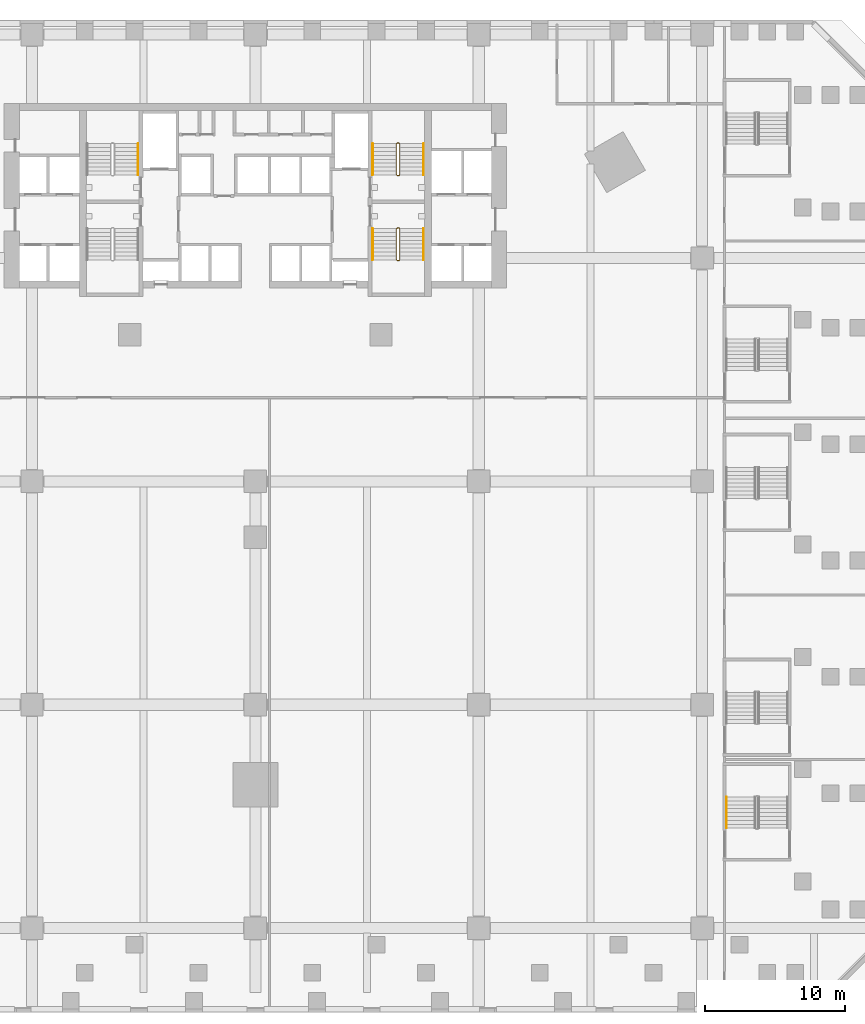
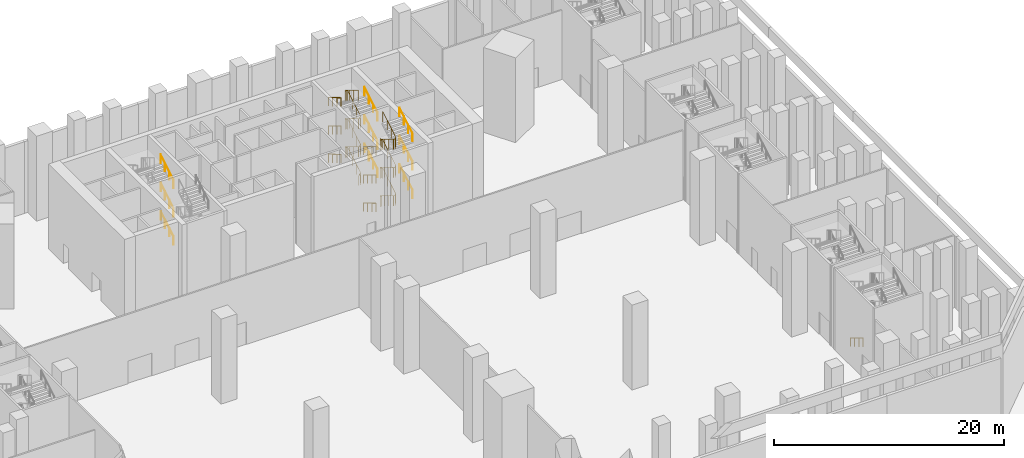
# One storey, part 20 of 25: 18 railings.
"""IFC4 building model written with IfcOpenShell, lengths in metres."""

import ifcopenshell
import ifcopenshell.guid

model = None  # the IFC model being written
_history = None  # IfcOwnerHistory: only IFC2X3 demands one
_inside = {}  # id of a spatial element -> (the spatial element, [elements in it])
_under = {}  # id of a project, library or spatial element -> (it, [spatial elements below it])
_declared = {}  # id of a project -> (the project, [libraries it declares])
_typed = {}  # id of a type object -> (the type object, [elements of that type])
_made_of = {}  # id of a material, layer set ... -> (it, [elements and type objects made of it])


def new_model(schema):
    """Start an empty IFC model of exactly this schema.

    Asked for "IFC4X3", IfcOpenShell would pick the latest addendum, in which some entities
    have other attributes; the version numbers below select the first issue.
    IFC2X3 requires an IfcOwnerHistory on every rooted entity: one is made here for all.
    """
    global model, _history
    if schema == "IFC4X3":
        model = ifcopenshell.file(schema_version=(4, 3, 0, 0))
    else:
        model = ifcopenshell.file(schema=schema)
    _inside.clear()
    _under.clear()
    _declared.clear()
    _typed.clear()
    _made_of.clear()
    _history = None
    if model.schema == "IFC2X3":
        org = make("IfcOrganization", Name="unknown")
        user = make(
            "IfcPersonAndOrganization",
            ThePerson=make("IfcPerson", FamilyName="unknown"),
            TheOrganization=org,
        )
        app = make(
            "IfcApplication",
            ApplicationDeveloper=org,
            Version="unknown",
            ApplicationFullName="unknown",
            ApplicationIdentifier="unknown",
        )
        _history = make(
            "IfcOwnerHistory",
            OwningUser=user,
            OwningApplication=app,
            ChangeAction="ADDED",
            CreationDate=0,
        )
    return model


def make(cls, **values):
    """One entity of the class cls with the attributes given. An attribute that is None is left unset."""
    return model.create_entity(
        cls, **{name: value for name, value in values.items() if value is not None}
    )


def rooted(cls, **values):
    """An entity with a GlobalId (a new one), such as an element, a storey or a relation."""
    return make(cls, GlobalId=ifcopenshell.guid.new(), OwnerHistory=_history, **values)


def si_unit(unit_type, name, prefix=None):
    """IfcSIUnit, for example si_unit("LENGTHUNIT", "METRE", prefix="MILLI")."""
    return make("IfcSIUnit", UnitType=unit_type, Prefix=prefix, Name=name)


def assignment(units):
    """IfcUnitAssignment: the units of a project."""
    return None if units is None else make("IfcUnitAssignment", Units=units)


def point(xyz):
    """IfcCartesianPoint."""
    return None if xyz is None else make("IfcCartesianPoint", Coordinates=xyz)


def direction(xyz):
    """IfcDirection."""
    return None if xyz is None else make("IfcDirection", DirectionRatios=xyz)


def frame(location, z_axis=None, x_axis=None):
    """IfcAxis2Placement3D, a coordinate frame: its origin and axes. An axis left out is left unset."""
    return make(
        "IfcAxis2Placement3D",
        Location=point(location),
        Axis=direction(z_axis),
        RefDirection=direction(x_axis),
    )


def frame_2d(location, x_axis=None):
    """IfcAxis2Placement2D, a coordinate frame in the plane: its origin and x axis."""
    return make(
        "IfcAxis2Placement2D", Location=point(location), RefDirection=direction(x_axis)
    )


def origin():
    """The frame at (0, 0, 0) with its axes left unset."""
    return frame((0.0, 0.0, 0.0))


def origin_2d():
    """The frame at (0, 0) in the plane with its x axis left unset."""
    return frame_2d((0.0, 0.0))


def place(relative_to, where):
    """IfcLocalPlacement: puts the frame where relative to a parent placement (None: the world)."""
    return make(
        "IfcLocalPlacement", PlacementRelTo=relative_to, RelativePlacement=where
    )


def context(
    kind, dimensions, precision=None, world=None, true_north=None, identifier=None
):
    """IfcGeometricRepresentationContext, for example the 3D "Model" context."""
    return make(
        "IfcGeometricRepresentationContext",
        ContextIdentifier=identifier,
        ContextType=kind,
        CoordinateSpaceDimension=dimensions,
        Precision=precision,
        WorldCoordinateSystem=world,
        TrueNorth=true_north,
    )


def subcontext(parent, identifier, kind, view, scale=None):
    """IfcGeometricRepresentationSubContext, for example "Body" below "Model"."""
    return make(
        "IfcGeometricRepresentationSubContext",
        ContextIdentifier=identifier,
        ContextType=kind,
        ParentContext=parent,
        TargetScale=scale,
        TargetView=view,
    )


def project(units=None, contexts=None):
    """IfcProject with its units and contexts."""
    return rooted(
        "IfcProject",
        Name="project",
        RepresentationContexts=contexts,
        UnitsInContext=assignment(units),
    )


def spatial(cls, under=None, at=None, **own):
    """A site, building, storey or space (cls), placed at a placement, below another one or the project."""
    s = rooted(cls, ObjectPlacement=at, **own)
    if under is not None:
        _under.setdefault(under.id(), (under, []))[1].append(s)
    return s


def profile(cls, at=None, kind="AREA", **sizes):
    """A parametric profile (cls). Its sizes go by their IFC names, for example OverallWidth=200.0."""
    return make(cls, ProfileType=kind, Position=at, **sizes)


def circle(**sizes):
    """IfcCircleProfileDef."""
    return profile("IfcCircleProfileDef", **sizes)


def extrude(swept, where, along, depth):
    """IfcExtrudedAreaSolid: the profile swept, set in the frame where, extruded along a direction by depth."""
    return make(
        "IfcExtrudedAreaSolid",
        SweptArea=swept,
        Position=where,
        ExtrudedDirection=direction(along),
        Depth=depth,
    )


def shape(context_of_items, identifier, shape_type, items):
    """IfcShapeRepresentation: the items that make up one representation, for example the "Body"."""
    return make(
        "IfcShapeRepresentation",
        ContextOfItems=context_of_items,
        RepresentationIdentifier=identifier,
        RepresentationType=shape_type,
        Items=items,
    )


def material(Name=None, Category=None):
    """IfcMaterial."""
    return make("IfcMaterial", Name=Name, Category=Category)


def made_of(thing, what):
    """Note that an element or type object is made of a material, layer set ...; save() writes the relation."""
    if what is not None:
        _made_of.setdefault(what.id(), (what, []))[1].append(thing)
    return thing


def type_object(cls, material=None, **own):
    """A type object (cls), such as IfcWallType, which elements share."""
    return made_of(rooted(cls, **own), material)


def element(
    cls,
    number,
    at=None,
    inside=None,
    cuts=None,
    type_object=None,
    material=None,
    context=None,
    identifier="Body",
    shape_type=None,
    held_by="IfcProductDefinitionShape",
    body=None,
    shapes=None,
    **own,
):
    """One element of the class cls, such as IfcWall. Its Tag is "e" and its number.

    at: its placement. inside: the storey or other place that contains it. cuts: it is an
    opening in that element (IfcRelVoidsElement). A single representation is given by context,
    identifier, shape_type and body (its items); several are given by shapes. held_by: the class
    of the entity that holds the representations. save() writes the other relations.
    """
    e = rooted(cls, Tag="e%d" % number, ObjectPlacement=at, **own)
    if body is not None:
        shapes = [shape(context, identifier, shape_type, body)]
    if shapes is not None:
        e.Representation = make(held_by, Representations=shapes)
    if inside is not None:
        _inside.setdefault(inside.id(), (inside, []))[1].append(e)
    if cuts is not None:
        rooted(
            "IfcRelVoidsElement", RelatingBuildingElement=cuts, RelatedOpeningElement=e
        )
    if type_object is not None:
        _typed.setdefault(type_object.id(), (type_object, []))[1].append(e)
    return made_of(e, material)


def aggregate(whole, parts):
    """IfcRelAggregates: a whole, such as a stair, and the parts it consists of."""
    return rooted("IfcRelAggregates", RelatingObject=whole, RelatedObjects=parts)


def save(model, path):
    """Write the relations noted so far, then the file.

    IfcRelAggregates (storeys below a building ...), IfcRelContainedInSpatialStructure (elements
    in a storey), IfcRelDefinesByType, IfcRelAssociatesMaterial and IfcRelDeclares: one each for
    every whole, place, type object, material and project.
    """
    for whole, parts in _under.values():
        aggregate(whole, parts)
    for where, things in _inside.values():
        rooted(
            "IfcRelContainedInSpatialStructure",
            RelatedElements=things,
            RelatingStructure=where,
        )
    for kind, things in _typed.values():
        rooted("IfcRelDefinesByType", RelatedObjects=things, RelatingType=kind)
    for what, things in _made_of.values():
        rooted("IfcRelAssociatesMaterial", RelatedObjects=things, RelatingMaterial=what)
    for by, libraries in _declared.values():
        rooted("IfcRelDeclares", RelatingContext=by, RelatedDefinitions=libraries)
    model.write(path)


model = new_model("IFC4")

# Units and contexts
model_context = context("Model", 3, precision=1e-05, world=origin(), true_north=direction((0.0, 1.0)))
body_context = subcontext(model_context, "Body", "Model", "MODEL_VIEW")
ifc_project = project(units=[si_unit("LENGTHUNIT", "METRE"), si_unit("AREAUNIT", "SQUARE_METRE"), si_unit("VOLUMEUNIT", "CUBIC_METRE"), si_unit("PLANEANGLEUNIT", "RADIAN"), si_unit("MASSUNIT", "GRAM", prefix="KILO")], contexts=[model_context])

# Site, building, storey
site_placement = place(None, origin())
site = spatial("IfcSite", under=ifc_project, at=site_placement, CompositionType="ELEMENT")
building_placement = place(site_placement, origin())
building = spatial("IfcBuilding", under=site, at=building_placement, Name="Calabash Gate Tower", CompositionType="ELEMENT")
storey_placement = place(building_placement, frame((0.0, 0.0, 20.0)))
storey = spatial("IfcBuildingStorey", under=building, at=storey_placement, Name="L02", CompositionType="ELEMENT", Elevation=20.0)

# Railings
ifc_material_1 = material(Name="Black powder-coated steel balusters", Category="steel")
railing_type_1 = type_object("IfcRailingType", Name="Stair guard RL1100", PredefinedType="GUARDRAIL", material=ifc_material_1)
railing_1_placement = place(storey_placement, frame((10.300048828125, 13.902587890625, 0.0)))
element("IfcRailing", 1, at=railing_1_placement, inside=storey, type_object=railing_type_1, Name="L02 ST3 stair guard 1", PredefinedType="GUARDRAIL", context=body_context, shape_type="SweptSolid", body=[
    extrude(circle(Radius=0.02392578125, at=origin_2d()), frame((0.0, 0.0, 1.076171875), z_axis=(-1.0, 0.0, 0.0), x_axis=(0.0, -1.0, 0.0)), (0.0, 0.0, 1.0), 0.150146484375),
    extrude(circle(Radius=0.02392578125, at=origin_2d()), frame((-0.150146484375, 0.0, 1.076171875), z_axis=(0.75457900375, 0.188644750937, 0.628509097026), x_axis=(-0.242535625036, 0.970142500145, 0.0)), (0.0, 0.0, 1.0), 0.265380859375),
    extrude(circle(Radius=0.02392578125, at=origin_2d()), frame((0.050048828125, 0.050048828125, 1.24267578125), z_axis=(0.0, 0.858493888361, 0.512823793955), x_axis=(-1.0, 0.0, 0.0)), (0.0, 0.0, 1.0), 2.599853515625),
    extrude(circle(Radius=0.02392578125, at=origin_2d()), frame((0.050048828125, 2.281982421875, 2.576171875), z_axis=(-0.707106781187, 0.707106781187, 0.0), x_axis=(-0.707106781187, -0.707106781187, 0.0)), (0.0, 0.0, 1.0), 0.07080078125),
    extrude(circle(Radius=0.02392578125, at=origin_2d()), frame((0.0, 2.33203125, 2.576171875), z_axis=(-1.0, 0.0, 0.0), x_axis=(0.0, -1.0, 0.0)), (0.0, 0.0, 1.0), 0.150146484375),
    extrude(circle(Radius=0.02392578125, at=origin_2d()), frame((-0.150146484375, 2.33203125, 2.576171875), z_axis=(-0.275041040955, -0.276389281352, 0.920848191041), x_axis=(0.708833529934, -0.705375805398, 0.0)), (0.0, 0.0, 1.0), 0.18115234375),
    extrude(circle(Radius=0.02392578125, at=origin_2d()), frame((-0.199951171875, 2.281982421875, 2.74267578125), z_axis=(0.0, -0.858493888361, 0.512823793955), x_axis=(1.0, 0.0, 0.0)), (0.0, 0.0, 1.0), 2.599853515625),
    extrude(circle(Radius=0.02392578125, at=origin_2d()), frame((-0.199951171875, 0.050048828125, 4.076171875), z_axis=(0.970072785993, -0.242814311512, 0.0), x_axis=(0.242814311512, 0.970072785993, 0.0)), (0.0, 0.0, 1.0), 0.2060546875),
    extrude(circle(Radius=0.02392578125, at=origin_2d()), frame((0.0, 0.0, 4.076171875), z_axis=(-1.0, 0.0, 0.0), x_axis=(0.0, -1.0, 0.0)), (0.0, 0.0, 1.0), 0.150146484375),
    extrude(circle(Radius=0.02392578125, at=origin_2d()), frame((-0.150146484375, 0.0, 4.076171875), z_axis=(0.75457900375, 0.188644750937, 0.628509097026), x_axis=(-0.242535625036, 0.970142500145, 0.0)), (0.0, 0.0, 1.0), 0.265380859375),
    extrude(circle(Radius=0.02392578125, at=origin_2d()), frame((0.050048828125, 0.050048828125, 4.24267578125), z_axis=(0.0, 0.858493888361, 0.512823793955), x_axis=(-1.0, 0.0, 0.0)), (0.0, 0.0, 1.0), 2.599853515625),
    extrude(circle(Radius=0.02392578125, at=origin_2d()), frame((0.050048828125, 2.281982421875, 5.576171875), z_axis=(-0.707106781187, 0.707106781187, 0.0), x_axis=(-0.707106781187, -0.707106781187, 0.0)), (0.0, 0.0, 1.0), 0.07080078125),
    extrude(circle(Radius=0.02392578125, at=origin_2d()), frame((0.0, 2.33203125, 5.576171875), z_axis=(-1.0, 0.0, 0.0), x_axis=(0.0, -1.0, 0.0)), (0.0, 0.0, 1.0), 0.150146484375),
    extrude(circle(Radius=0.02392578125, at=origin_2d()), frame((-0.150146484375, 2.33203125, 5.576171875), z_axis=(-0.275041040955, -0.276389281352, 0.920848191041), x_axis=(0.708833529934, -0.705375805398, 0.0)), (0.0, 0.0, 1.0), 0.18115234375),
    extrude(circle(Radius=0.02392578125, at=origin_2d()), frame((-0.199951171875, 2.281982421875, 5.74267578125), z_axis=(0.0, -0.858493888361, 0.512823793955), x_axis=(1.0, 0.0, 0.0)), (0.0, 0.0, 1.0), 2.599853515625),
    extrude(circle(Radius=0.02392578125, at=origin_2d()), frame((-0.199951171875, 0.050048828125, 7.076171875), z_axis=(0.970072785993, -0.242814311512, 0.0), x_axis=(0.242814311512, 0.970072785993, 0.0)), (0.0, 0.0, 1.0), 0.2060546875),
    extrude(circle(Radius=0.02392578125, at=origin_2d()), frame((0.0, 0.0, 7.076171875), z_axis=(-1.0, 0.0, 0.0), x_axis=(0.0, -1.0, 0.0)), (0.0, 0.0, 1.0), 0.150146484375),
    extrude(circle(Radius=0.02392578125, at=origin_2d()), frame((-0.150146484375, 0.0, 7.076171875), z_axis=(0.75457900375, 0.188644750937, 0.628509097026), x_axis=(-0.242535625036, 0.970142500145, 0.0)), (0.0, 0.0, 1.0), 0.265380859375),
    extrude(circle(Radius=0.02392578125, at=origin_2d()), frame((0.050048828125, 0.050048828125, 7.24267578125), z_axis=(0.0, 0.858493888361, 0.512823793955), x_axis=(-1.0, 0.0, 0.0)), (0.0, 0.0, 1.0), 2.599853515625),
    extrude(circle(Radius=0.02392578125, at=origin_2d()), frame((0.050048828125, 2.281982421875, 8.576171875), z_axis=(-0.707106781187, 0.707106781187, 0.0), x_axis=(-0.707106781187, -0.707106781187, 0.0)), (0.0, 0.0, 1.0), 0.07080078125),
    extrude(circle(Radius=0.02392578125, at=origin_2d()), frame((0.0, 2.33203125, 8.576171875), z_axis=(-1.0, 0.0, 0.0), x_axis=(0.0, -1.0, 0.0)), (0.0, 0.0, 1.0), 0.150146484375),
    extrude(circle(Radius=0.02392578125, at=origin_2d()), frame((-0.150146484375, 2.33203125, 8.576171875), z_axis=(-0.275041040955, -0.276389281352, 0.920848191041), x_axis=(0.708833529934, -0.705375805398, 0.0)), (0.0, 0.0, 1.0), 0.18115234375),
    extrude(circle(Radius=0.02392578125, at=origin_2d()), frame((-0.199951171875, 2.281982421875, 8.74267578125), z_axis=(0.0, -0.858493888361, 0.512823793955), x_axis=(1.0, 0.0, 0.0)), (0.0, 0.0, 1.0), 2.599853515625),
    extrude(circle(Radius=0.02099609375, at=origin_2d()), origin(), (0.0, 0.0, 1.0), 1.052001953125),
    extrude(circle(Radius=0.02099609375, at=origin_2d()), frame((-0.150146484375, 0.0, 0.0)), (0.0, 0.0, 1.0), 1.052001953125),
    extrude(circle(Radius=0.02099609375, at=origin_2d()), frame((0.050048828125, 0.050048828125, 0.166748046875)), (0.0, 0.0, 1.0), 1.052001953125),
    extrude(circle(Radius=0.02099609375, at=origin_2d()), frame((0.050048828125, 0.7939453125, 0.611083984375)), (0.0, 0.0, 1.0), 1.052001953125),
    extrude(circle(Radius=0.02099609375, at=origin_2d()), frame((0.050048828125, 1.5380859375, 1.0556640625)), (0.0, 0.0, 1.0), 1.052001953125),
    extrude(circle(Radius=0.02099609375, at=origin_2d()), frame((0.050048828125, 2.281982421875, 1.5)), (0.0, 0.0, 1.0), 1.052001953125),
    extrude(circle(Radius=0.02099609375, at=origin_2d()), frame((0.0, 2.33203125, 1.5)), (0.0, 0.0, 1.0), 1.052001953125),
    extrude(circle(Radius=0.02099609375, at=origin_2d()), frame((-0.150146484375, 2.33203125, 1.5)), (0.0, 0.0, 1.0), 1.052001953125),
    extrude(circle(Radius=0.02099609375, at=origin_2d()), frame((-0.199951171875, 2.281982421875, 1.666748046875)), (0.0, 0.0, 1.0), 1.052001953125),
    extrude(circle(Radius=0.02099609375, at=origin_2d()), frame((-0.199951171875, 1.5380859375, 2.111083984375)), (0.0, 0.0, 1.0), 1.052001953125),
    extrude(circle(Radius=0.02099609375, at=origin_2d()), frame((-0.199951171875, 0.7939453125, 2.5556640625)), (0.0, 0.0, 1.0), 1.052001953125),
    extrude(circle(Radius=0.02099609375, at=origin_2d()), frame((-0.199951171875, 0.050048828125, 3.0)), (0.0, 0.0, 1.0), 1.052001953125),
    extrude(circle(Radius=0.02099609375, at=origin_2d()), frame((0.0, 0.0, 3.0)), (0.0, 0.0, 1.0), 1.052001953125),
    extrude(circle(Radius=0.02099609375, at=origin_2d()), frame((-0.150146484375, 0.0, 3.0)), (0.0, 0.0, 1.0), 1.052001953125),
    extrude(circle(Radius=0.02099609375, at=origin_2d()), frame((0.050048828125, 0.050048828125, 3.166748046875)), (0.0, 0.0, 1.0), 1.052001953125),
    extrude(circle(Radius=0.02099609375, at=origin_2d()), frame((0.050048828125, 0.7939453125, 3.611083984375)), (0.0, 0.0, 1.0), 1.052001953125),
    extrude(circle(Radius=0.02099609375, at=origin_2d()), frame((0.050048828125, 1.5380859375, 4.0556640625)), (0.0, 0.0, 1.0), 1.052001953125),
    extrude(circle(Radius=0.02099609375, at=origin_2d()), frame((0.050048828125, 2.281982421875, 4.5)), (0.0, 0.0, 1.0), 1.052001953125),
    extrude(circle(Radius=0.02099609375, at=origin_2d()), frame((0.0, 2.33203125, 4.5)), (0.0, 0.0, 1.0), 1.052001953125),
    extrude(circle(Radius=0.02099609375, at=origin_2d()), frame((-0.150146484375, 2.33203125, 4.5)), (0.0, 0.0, 1.0), 1.052001953125),
    extrude(circle(Radius=0.02099609375, at=origin_2d()), frame((-0.199951171875, 2.281982421875, 4.666748046875)), (0.0, 0.0, 1.0), 1.052001953125),
    extrude(circle(Radius=0.02099609375, at=origin_2d()), frame((-0.199951171875, 1.5380859375, 5.111083984375)), (0.0, 0.0, 1.0), 1.052001953125),
    extrude(circle(Radius=0.02099609375, at=origin_2d()), frame((-0.199951171875, 0.7939453125, 5.5556640625)), (0.0, 0.0, 1.0), 1.052001953125),
    extrude(circle(Radius=0.02099609375, at=origin_2d()), frame((-0.199951171875, 0.050048828125, 6.0)), (0.0, 0.0, 1.0), 1.052001953125),
    extrude(circle(Radius=0.02099609375, at=origin_2d()), frame((0.0, 0.0, 6.0)), (0.0, 0.0, 1.0), 1.052001953125),
    extrude(circle(Radius=0.02099609375, at=origin_2d()), frame((-0.150146484375, 0.0, 6.0)), (0.0, 0.0, 1.0), 1.052001953125),
    extrude(circle(Radius=0.02099609375, at=origin_2d()), frame((0.050048828125, 0.050048828125, 6.166748046875)), (0.0, 0.0, 1.0), 1.052001953125),
    extrude(circle(Radius=0.02099609375, at=origin_2d()), frame((0.050048828125, 0.7939453125, 6.611083984375)), (0.0, 0.0, 1.0), 1.052001953125),
    extrude(circle(Radius=0.02099609375, at=origin_2d()), frame((0.050048828125, 1.5380859375, 7.0556640625)), (0.0, 0.0, 1.0), 1.052001953125),
    extrude(circle(Radius=0.02099609375, at=origin_2d()), frame((0.050048828125, 2.281982421875, 7.5)), (0.0, 0.0, 1.0), 1.052001953125),
    extrude(circle(Radius=0.02099609375, at=origin_2d()), frame((0.0, 2.33203125, 7.5)), (0.0, 0.0, 1.0), 1.052001953125),
    extrude(circle(Radius=0.02099609375, at=origin_2d()), frame((-0.150146484375, 2.33203125, 7.5)), (0.0, 0.0, 1.0), 1.052001953125),
    extrude(circle(Radius=0.02099609375, at=origin_2d()), frame((-0.199951171875, 2.281982421875, 7.666748046875)), (0.0, 0.0, 1.0), 1.052001953125),
    extrude(circle(Radius=0.02099609375, at=origin_2d()), frame((-0.199951171875, 1.5380859375, 8.111083984375)), (0.0, 0.0, 1.0), 1.052001953125),
    extrude(circle(Radius=0.02099609375, at=origin_2d()), frame((-0.199951171875, 0.7939453125, 8.5556640625)), (0.0, 0.0, 1.0), 1.052001953125),
    extrude(circle(Radius=0.02099609375, at=origin_2d()), frame((-0.199951171875, 0.050048828125, 9.0)), (0.0, 0.0, 1.0), 1.052001953125),
])
railing_2_placement = place(storey_placement, frame((10.14990234375, 10.152587890625, 0.0)))
element("IfcRailing", 2, at=railing_2_placement, inside=storey, type_object=railing_type_1, Name="L02 ST4 stair guard 1", PredefinedType="GUARDRAIL", context=body_context, shape_type="SweptSolid", body=[
    extrude(circle(Radius=0.02392578125, at=origin_2d()), frame((0.0, 0.0, 1.076171875), z_axis=(1.0, 0.0, 0.0), x_axis=(0.0, 1.0, 0.0)), (0.0, 0.0, 1.0), 0.150146484375),
    extrude(circle(Radius=0.02392578125, at=origin_2d()), frame((0.150146484375, 0.0, 1.076171875), z_axis=(-0.754182335027, -0.188775798145, 0.628945707965), x_axis=(0.242814311512, -0.970072785993, 0.0)), (0.0, 0.0, 1.0), 0.26513671875),
    extrude(circle(Radius=0.02392578125, at=origin_2d()), frame((-0.0498046875, -0.050048828125, 1.24267578125), z_axis=(0.0, -0.858493888361, 0.512823793955), x_axis=(1.0, 0.0, 0.0)), (0.0, 0.0, 1.0), 2.599853515625),
    extrude(circle(Radius=0.02392578125, at=origin_2d()), frame((-0.0498046875, -2.281982421875, 2.576171875), z_axis=(0.705375805398, -0.708833529934, 0.0), x_axis=(0.708833529934, 0.705375805398, 0.0)), (0.0, 0.0, 1.0), 0.070556640625),
    extrude(circle(Radius=0.02392578125, at=origin_2d()), frame((0.0, -2.33203125, 2.576171875), z_axis=(1.0, 0.0, 0.0), x_axis=(0.0, 1.0, 0.0)), (0.0, 0.0, 1.0), 0.150146484375),
    extrude(circle(Radius=0.02392578125, at=origin_2d()), frame((0.150146484375, -2.33203125, 2.576171875), z_axis=(0.27628659633, 0.27628659633, 0.920506074601), x_axis=(-0.707106781187, 0.707106781187, 0.0)), (0.0, 0.0, 1.0), 0.18115234375),
    extrude(circle(Radius=0.02392578125, at=origin_2d()), frame((0.2001953125, -2.281982421875, 2.74267578125), z_axis=(0.0, 0.858493888361, 0.512823793955), x_axis=(-1.0, 0.0, 0.0)), (0.0, 0.0, 1.0), 2.599853515625),
    extrude(circle(Radius=0.02392578125, at=origin_2d()), frame((0.2001953125, -0.050048828125, 4.076171875), z_axis=(-0.970142500145, 0.242535625036, 0.0), x_axis=(-0.242535625036, -0.970142500145, 0.0)), (0.0, 0.0, 1.0), 0.206298828125),
    extrude(circle(Radius=0.02392578125, at=origin_2d()), frame((0.0, 0.0, 4.076171875), z_axis=(1.0, 0.0, 0.0), x_axis=(0.0, 1.0, 0.0)), (0.0, 0.0, 1.0), 0.150146484375),
    extrude(circle(Radius=0.02392578125, at=origin_2d()), frame((0.150146484375, 0.0, 4.076171875), z_axis=(-0.754182335027, -0.188775798145, 0.628945707965), x_axis=(0.242814311512, -0.970072785993, 0.0)), (0.0, 0.0, 1.0), 0.26513671875),
    extrude(circle(Radius=0.02392578125, at=origin_2d()), frame((-0.0498046875, -0.050048828125, 4.24267578125), z_axis=(0.0, -0.858493888361, 0.512823793955), x_axis=(1.0, 0.0, 0.0)), (0.0, 0.0, 1.0), 2.599853515625),
    extrude(circle(Radius=0.02392578125, at=origin_2d()), frame((-0.0498046875, -2.281982421875, 5.576171875), z_axis=(0.705375805398, -0.708833529934, 0.0), x_axis=(0.708833529934, 0.705375805398, 0.0)), (0.0, 0.0, 1.0), 0.070556640625),
    extrude(circle(Radius=0.02392578125, at=origin_2d()), frame((0.0, -2.33203125, 5.576171875), z_axis=(1.0, 0.0, 0.0), x_axis=(0.0, 1.0, 0.0)), (0.0, 0.0, 1.0), 0.150146484375),
    extrude(circle(Radius=0.02392578125, at=origin_2d()), frame((0.150146484375, -2.33203125, 5.576171875), z_axis=(0.27628659633, 0.27628659633, 0.920506074601), x_axis=(-0.707106781187, 0.707106781187, 0.0)), (0.0, 0.0, 1.0), 0.18115234375),
    extrude(circle(Radius=0.02392578125, at=origin_2d()), frame((0.2001953125, -2.281982421875, 5.74267578125), z_axis=(0.0, 0.858493888361, 0.512823793955), x_axis=(-1.0, 0.0, 0.0)), (0.0, 0.0, 1.0), 2.599853515625),
    extrude(circle(Radius=0.02392578125, at=origin_2d()), frame((0.2001953125, -0.050048828125, 7.076171875), z_axis=(-0.970142500145, 0.242535625036, 0.0), x_axis=(-0.242535625036, -0.970142500145, 0.0)), (0.0, 0.0, 1.0), 0.206298828125),
    extrude(circle(Radius=0.02392578125, at=origin_2d()), frame((0.0, 0.0, 7.076171875), z_axis=(1.0, 0.0, 0.0), x_axis=(0.0, 1.0, 0.0)), (0.0, 0.0, 1.0), 0.150146484375),
    extrude(circle(Radius=0.02392578125, at=origin_2d()), frame((0.150146484375, 0.0, 7.076171875), z_axis=(-0.754182335027, -0.188775798145, 0.628945707965), x_axis=(0.242814311512, -0.970072785993, 0.0)), (0.0, 0.0, 1.0), 0.26513671875),
    extrude(circle(Radius=0.02392578125, at=origin_2d()), frame((-0.0498046875, -0.050048828125, 7.24267578125), z_axis=(0.0, -0.858493888361, 0.512823793955), x_axis=(1.0, 0.0, 0.0)), (0.0, 0.0, 1.0), 2.599853515625),
    extrude(circle(Radius=0.02392578125, at=origin_2d()), frame((-0.0498046875, -2.281982421875, 8.576171875), z_axis=(0.705375805398, -0.708833529934, 0.0), x_axis=(0.708833529934, 0.705375805398, 0.0)), (0.0, 0.0, 1.0), 0.070556640625),
    extrude(circle(Radius=0.02392578125, at=origin_2d()), frame((0.0, -2.33203125, 8.576171875), z_axis=(1.0, 0.0, 0.0), x_axis=(0.0, 1.0, 0.0)), (0.0, 0.0, 1.0), 0.150146484375),
    extrude(circle(Radius=0.02392578125, at=origin_2d()), frame((0.150146484375, -2.33203125, 8.576171875), z_axis=(0.27628659633, 0.27628659633, 0.920506074601), x_axis=(-0.707106781187, 0.707106781187, 0.0)), (0.0, 0.0, 1.0), 0.18115234375),
    extrude(circle(Radius=0.02392578125, at=origin_2d()), frame((0.2001953125, -2.281982421875, 8.74267578125), z_axis=(0.0, 0.858493888361, 0.512823793955), x_axis=(-1.0, 0.0, 0.0)), (0.0, 0.0, 1.0), 2.599853515625),
    extrude(circle(Radius=0.02099609375, at=origin_2d()), origin(), (0.0, 0.0, 1.0), 1.052001953125),
    extrude(circle(Radius=0.02099609375, at=origin_2d()), frame((0.150146484375, 0.0, 0.0)), (0.0, 0.0, 1.0), 1.052001953125),
    extrude(circle(Radius=0.02099609375, at=origin_2d()), frame((-0.0498046875, -0.050048828125, 0.166748046875)), (0.0, 0.0, 1.0), 1.052001953125),
    extrude(circle(Radius=0.02099609375, at=origin_2d()), frame((-0.0498046875, -0.7939453125, 0.611083984375)), (0.0, 0.0, 1.0), 1.052001953125),
    extrude(circle(Radius=0.02099609375, at=origin_2d()), frame((-0.0498046875, -1.5380859375, 1.0556640625)), (0.0, 0.0, 1.0), 1.052001953125),
    extrude(circle(Radius=0.02099609375, at=origin_2d()), frame((-0.0498046875, -2.281982421875, 1.5)), (0.0, 0.0, 1.0), 1.052001953125),
    extrude(circle(Radius=0.02099609375, at=origin_2d()), frame((0.0, -2.33203125, 1.5)), (0.0, 0.0, 1.0), 1.052001953125),
    extrude(circle(Radius=0.02099609375, at=origin_2d()), frame((0.150146484375, -2.33203125, 1.5)), (0.0, 0.0, 1.0), 1.052001953125),
    extrude(circle(Radius=0.02099609375, at=origin_2d()), frame((0.2001953125, -2.281982421875, 1.666748046875)), (0.0, 0.0, 1.0), 1.052001953125),
    extrude(circle(Radius=0.02099609375, at=origin_2d()), frame((0.2001953125, -1.5380859375, 2.111083984375)), (0.0, 0.0, 1.0), 1.052001953125),
    extrude(circle(Radius=0.02099609375, at=origin_2d()), frame((0.2001953125, -0.7939453125, 2.5556640625)), (0.0, 0.0, 1.0), 1.052001953125),
    extrude(circle(Radius=0.02099609375, at=origin_2d()), frame((0.2001953125, -0.050048828125, 3.0)), (0.0, 0.0, 1.0), 1.052001953125),
    extrude(circle(Radius=0.02099609375, at=origin_2d()), frame((0.0, 0.0, 3.0)), (0.0, 0.0, 1.0), 1.052001953125),
    extrude(circle(Radius=0.02099609375, at=origin_2d()), frame((0.150146484375, 0.0, 3.0)), (0.0, 0.0, 1.0), 1.052001953125),
    extrude(circle(Radius=0.02099609375, at=origin_2d()), frame((-0.0498046875, -0.050048828125, 3.166748046875)), (0.0, 0.0, 1.0), 1.052001953125),
    extrude(circle(Radius=0.02099609375, at=origin_2d()), frame((-0.0498046875, -0.7939453125, 3.611083984375)), (0.0, 0.0, 1.0), 1.052001953125),
    extrude(circle(Radius=0.02099609375, at=origin_2d()), frame((-0.0498046875, -1.5380859375, 4.0556640625)), (0.0, 0.0, 1.0), 1.052001953125),
    extrude(circle(Radius=0.02099609375, at=origin_2d()), frame((-0.0498046875, -2.281982421875, 4.5)), (0.0, 0.0, 1.0), 1.052001953125),
    extrude(circle(Radius=0.02099609375, at=origin_2d()), frame((0.0, -2.33203125, 4.5)), (0.0, 0.0, 1.0), 1.052001953125),
    extrude(circle(Radius=0.02099609375, at=origin_2d()), frame((0.150146484375, -2.33203125, 4.5)), (0.0, 0.0, 1.0), 1.052001953125),
    extrude(circle(Radius=0.02099609375, at=origin_2d()), frame((0.2001953125, -2.281982421875, 4.666748046875)), (0.0, 0.0, 1.0), 1.052001953125),
    extrude(circle(Radius=0.02099609375, at=origin_2d()), frame((0.2001953125, -1.5380859375, 5.111083984375)), (0.0, 0.0, 1.0), 1.052001953125),
    extrude(circle(Radius=0.02099609375, at=origin_2d()), frame((0.2001953125, -0.7939453125, 5.5556640625)), (0.0, 0.0, 1.0), 1.052001953125),
    extrude(circle(Radius=0.02099609375, at=origin_2d()), frame((0.2001953125, -0.050048828125, 6.0)), (0.0, 0.0, 1.0), 1.052001953125),
    extrude(circle(Radius=0.02099609375, at=origin_2d()), frame((0.0, 0.0, 6.0)), (0.0, 0.0, 1.0), 1.052001953125),
    extrude(circle(Radius=0.02099609375, at=origin_2d()), frame((0.150146484375, 0.0, 6.0)), (0.0, 0.0, 1.0), 1.052001953125),
    extrude(circle(Radius=0.02099609375, at=origin_2d()), frame((-0.0498046875, -0.050048828125, 6.166748046875)), (0.0, 0.0, 1.0), 1.052001953125),
    extrude(circle(Radius=0.02099609375, at=origin_2d()), frame((-0.0498046875, -0.7939453125, 6.611083984375)), (0.0, 0.0, 1.0), 1.052001953125),
    extrude(circle(Radius=0.02099609375, at=origin_2d()), frame((-0.0498046875, -1.5380859375, 7.0556640625)), (0.0, 0.0, 1.0), 1.052001953125),
    extrude(circle(Radius=0.02099609375, at=origin_2d()), frame((-0.0498046875, -2.281982421875, 7.5)), (0.0, 0.0, 1.0), 1.052001953125),
    extrude(circle(Radius=0.02099609375, at=origin_2d()), frame((0.0, -2.33203125, 7.5)), (0.0, 0.0, 1.0), 1.052001953125),
    extrude(circle(Radius=0.02099609375, at=origin_2d()), frame((0.150146484375, -2.33203125, 7.5)), (0.0, 0.0, 1.0), 1.052001953125),
    extrude(circle(Radius=0.02099609375, at=origin_2d()), frame((0.2001953125, -2.281982421875, 7.666748046875)), (0.0, 0.0, 1.0), 1.052001953125),
    extrude(circle(Radius=0.02099609375, at=origin_2d()), frame((0.2001953125, -1.5380859375, 8.111083984375)), (0.0, 0.0, 1.0), 1.052001953125),
    extrude(circle(Radius=0.02099609375, at=origin_2d()), frame((0.2001953125, -0.7939453125, 8.5556640625)), (0.0, 0.0, 1.0), 1.052001953125),
    extrude(circle(Radius=0.02099609375, at=origin_2d()), frame((0.2001953125, -0.050048828125, 9.0)), (0.0, 0.0, 1.0), 1.052001953125),
])
ifc_material_2 = material(Name="Black powder-coated steel tube 48 mm", Category="steel")
railing_type_2 = type_object("IfcRailingType", Name="Stair handrail RL900", PredefinedType="HANDRAIL", material=ifc_material_2)
for number, where, name in (
    (3, (-8.39990234375, 13.95263671875, 0.166748046875), "L02 ST1 stair handrail 1"),
    (4, (-8.39990234375, 13.95263671875, 3.166748046875), "L02 ST1 stair handrail 3"),
    (5, (-8.39990234375, 13.95263671875, 6.166748046875), "L02 ST1 stair handrail 5"),
    (6, (12.050048828125, 13.95263671875, 0.166748046875), "L02 ST3 stair handrail 1"),
):
    element("IfcRailing", number, at=place(storey_placement, frame(where)), inside=storey, type_object=railing_type_2, Name=name, PredefinedType="HANDRAIL", context=body_context, shape_type="SweptSolid", body=[
        extrude(circle(Radius=0.02392578125, at=origin_2d()), frame((0.0, 0.0, 0.8759765625), z_axis=(0.0, 0.858493888361, 0.512823793955), x_axis=(-1.0, 0.0, 0.0)), (0.0, 0.0, 1.0), 2.599853515625),
        extrude(circle(Radius=0.02099609375, at=origin_2d()), origin(), (0.0, 0.0, 1.0), 0.851806640625),
        extrude(circle(Radius=0.02099609375, at=origin_2d()), frame((0.0, 0.743896484375, 0.4443359375)), (0.0, 0.0, 1.0), 0.851806640625),
        extrude(circle(Radius=0.02099609375, at=origin_2d()), frame((0.0, 1.488037109375, 0.888916015625)), (0.0, 0.0, 1.0), 0.851806640625),
        extrude(circle(Radius=0.02099609375, at=origin_2d()), frame((0.0, 2.23193359375, 1.333251953125)), (0.0, 0.0, 1.0), 0.851806640625),
    ])
railing_3_placement = place(storey_placement, frame((8.39990234375, 16.1845703125, 1.666748046875)))
element("IfcRailing", 7, at=railing_3_placement, inside=storey, type_object=railing_type_2, Name="L02 ST3 stair handrail 2", PredefinedType="HANDRAIL", context=body_context, shape_type="SweptSolid", body=[
    extrude(circle(Radius=0.02392578125, at=origin_2d()), frame((0.0, 0.0, 0.8759765625), z_axis=(0.0, -0.858493888361, 0.512823793955), x_axis=(1.0, 0.0, 0.0)), (0.0, 0.0, 1.0), 2.599853515625),
    extrude(circle(Radius=0.02099609375, at=origin_2d()), origin(), (0.0, 0.0, 1.0), 0.851806640625),
    extrude(circle(Radius=0.02099609375, at=origin_2d()), frame((0.0, -0.743896484375, 0.4443359375)), (0.0, 0.0, 1.0), 0.851806640625),
    extrude(circle(Radius=0.02099609375, at=origin_2d()), frame((0.0, -1.488037109375, 0.888916015625)), (0.0, 0.0, 1.0), 0.851806640625),
    extrude(circle(Radius=0.02099609375, at=origin_2d()), frame((0.0, -2.23193359375, 1.333251953125)), (0.0, 0.0, 1.0), 0.851806640625),
])
railing_4_placement = place(storey_placement, frame((12.050048828125, 13.95263671875, 3.166748046875)))
element("IfcRailing", 8, at=railing_4_placement, inside=storey, type_object=railing_type_2, Name="L02 ST3 stair handrail 3", PredefinedType="HANDRAIL", context=body_context, shape_type="SweptSolid", body=[
    extrude(circle(Radius=0.02392578125, at=origin_2d()), frame((0.0, 0.0, 0.8759765625), z_axis=(0.0, 0.858493888361, 0.512823793955), x_axis=(-1.0, 0.0, 0.0)), (0.0, 0.0, 1.0), 2.599853515625),
    extrude(circle(Radius=0.02099609375, at=origin_2d()), origin(), (0.0, 0.0, 1.0), 0.851806640625),
    extrude(circle(Radius=0.02099609375, at=origin_2d()), frame((0.0, 0.743896484375, 0.4443359375)), (0.0, 0.0, 1.0), 0.851806640625),
    extrude(circle(Radius=0.02099609375, at=origin_2d()), frame((0.0, 1.488037109375, 0.888916015625)), (0.0, 0.0, 1.0), 0.851806640625),
    extrude(circle(Radius=0.02099609375, at=origin_2d()), frame((0.0, 2.23193359375, 1.333251953125)), (0.0, 0.0, 1.0), 0.851806640625),
])
railing_5_placement = place(storey_placement, frame((8.39990234375, 16.1845703125, 4.666748046875)))
element("IfcRailing", 9, at=railing_5_placement, inside=storey, type_object=railing_type_2, Name="L02 ST3 stair handrail 4", PredefinedType="HANDRAIL", context=body_context, shape_type="SweptSolid", body=[
    extrude(circle(Radius=0.02392578125, at=origin_2d()), frame((0.0, 0.0, 0.8759765625), z_axis=(0.0, -0.858493888361, 0.512823793955), x_axis=(1.0, 0.0, 0.0)), (0.0, 0.0, 1.0), 2.599853515625),
    extrude(circle(Radius=0.02099609375, at=origin_2d()), origin(), (0.0, 0.0, 1.0), 0.851806640625),
    extrude(circle(Radius=0.02099609375, at=origin_2d()), frame((0.0, -0.743896484375, 0.4443359375)), (0.0, 0.0, 1.0), 0.851806640625),
    extrude(circle(Radius=0.02099609375, at=origin_2d()), frame((0.0, -1.488037109375, 0.888916015625)), (0.0, 0.0, 1.0), 0.851806640625),
    extrude(circle(Radius=0.02099609375, at=origin_2d()), frame((0.0, -2.23193359375, 1.333251953125)), (0.0, 0.0, 1.0), 0.851806640625),
])
railing_6_placement = place(storey_placement, frame((12.050048828125, 13.95263671875, 6.166748046875)))
element("IfcRailing", 10, at=railing_6_placement, inside=storey, type_object=railing_type_2, Name="L02 ST3 stair handrail 5", PredefinedType="HANDRAIL", context=body_context, shape_type="SweptSolid", body=[
    extrude(circle(Radius=0.02392578125, at=origin_2d()), frame((0.0, 0.0, 0.8759765625), z_axis=(0.0, 0.858493888361, 0.512823793955), x_axis=(-1.0, 0.0, 0.0)), (0.0, 0.0, 1.0), 2.599853515625),
    extrude(circle(Radius=0.02099609375, at=origin_2d()), origin(), (0.0, 0.0, 1.0), 0.851806640625),
    extrude(circle(Radius=0.02099609375, at=origin_2d()), frame((0.0, 0.743896484375, 0.4443359375)), (0.0, 0.0, 1.0), 0.851806640625),
    extrude(circle(Radius=0.02099609375, at=origin_2d()), frame((0.0, 1.488037109375, 0.888916015625)), (0.0, 0.0, 1.0), 0.851806640625),
    extrude(circle(Radius=0.02099609375, at=origin_2d()), frame((0.0, 2.23193359375, 1.333251953125)), (0.0, 0.0, 1.0), 0.851806640625),
])
for number, where, name in (
    (11, (8.39990234375, 16.1845703125, 7.666748046875), "L02 ST3 stair handrail 6"),
    (12, (8.39990234375, 10.1025390625, 0.166748046875), "L02 ST4 stair handrail 1"),
):
    element("IfcRailing", number, at=place(storey_placement, frame(where)), inside=storey, type_object=railing_type_2, Name=name, PredefinedType="HANDRAIL", context=body_context, shape_type="SweptSolid", body=[
        extrude(circle(Radius=0.02392578125, at=origin_2d()), frame((0.0, 0.0, 0.8759765625), z_axis=(0.0, -0.858493888361, 0.512823793955), x_axis=(1.0, 0.0, 0.0)), (0.0, 0.0, 1.0), 2.599853515625),
        extrude(circle(Radius=0.02099609375, at=origin_2d()), origin(), (0.0, 0.0, 1.0), 0.851806640625),
        extrude(circle(Radius=0.02099609375, at=origin_2d()), frame((0.0, -0.743896484375, 0.4443359375)), (0.0, 0.0, 1.0), 0.851806640625),
        extrude(circle(Radius=0.02099609375, at=origin_2d()), frame((0.0, -1.488037109375, 0.888916015625)), (0.0, 0.0, 1.0), 0.851806640625),
        extrude(circle(Radius=0.02099609375, at=origin_2d()), frame((0.0, -2.23193359375, 1.333251953125)), (0.0, 0.0, 1.0), 0.851806640625),
    ])
railing_7_placement = place(storey_placement, frame((12.050048828125, 7.87060546875, 1.666748046875)))
element("IfcRailing", 13, at=railing_7_placement, inside=storey, type_object=railing_type_2, Name="L02 ST4 stair handrail 2", PredefinedType="HANDRAIL", context=body_context, shape_type="SweptSolid", body=[
    extrude(circle(Radius=0.02392578125, at=origin_2d()), frame((0.0, 0.0, 0.8759765625), z_axis=(0.0, 0.858493888361, 0.512823793955), x_axis=(-1.0, 0.0, 0.0)), (0.0, 0.0, 1.0), 2.599853515625),
    extrude(circle(Radius=0.02099609375, at=origin_2d()), origin(), (0.0, 0.0, 1.0), 0.851806640625),
    extrude(circle(Radius=0.02099609375, at=origin_2d()), frame((0.0, 0.743896484375, 0.4443359375)), (0.0, 0.0, 1.0), 0.851806640625),
    extrude(circle(Radius=0.02099609375, at=origin_2d()), frame((0.0, 1.488037109375, 0.888916015625)), (0.0, 0.0, 1.0), 0.851806640625),
    extrude(circle(Radius=0.02099609375, at=origin_2d()), frame((0.0, 2.23193359375, 1.333251953125)), (0.0, 0.0, 1.0), 0.851806640625),
])
railing_8_placement = place(storey_placement, frame((8.39990234375, 10.1025390625, 3.166748046875)))
element("IfcRailing", 14, at=railing_8_placement, inside=storey, type_object=railing_type_2, Name="L02 ST4 stair handrail 3", PredefinedType="HANDRAIL", context=body_context, shape_type="SweptSolid", body=[
    extrude(circle(Radius=0.02392578125, at=origin_2d()), frame((0.0, 0.0, 0.8759765625), z_axis=(0.0, -0.858493888361, 0.512823793955), x_axis=(1.0, 0.0, 0.0)), (0.0, 0.0, 1.0), 2.599853515625),
    extrude(circle(Radius=0.02099609375, at=origin_2d()), origin(), (0.0, 0.0, 1.0), 0.851806640625),
    extrude(circle(Radius=0.02099609375, at=origin_2d()), frame((0.0, -0.743896484375, 0.4443359375)), (0.0, 0.0, 1.0), 0.851806640625),
    extrude(circle(Radius=0.02099609375, at=origin_2d()), frame((0.0, -1.488037109375, 0.888916015625)), (0.0, 0.0, 1.0), 0.851806640625),
    extrude(circle(Radius=0.02099609375, at=origin_2d()), frame((0.0, -2.23193359375, 1.333251953125)), (0.0, 0.0, 1.0), 0.851806640625),
])
railing_9_placement = place(storey_placement, frame((12.050048828125, 7.87060546875, 4.666748046875)))
element("IfcRailing", 15, at=railing_9_placement, inside=storey, type_object=railing_type_2, Name="L02 ST4 stair handrail 4", PredefinedType="HANDRAIL", context=body_context, shape_type="SweptSolid", body=[
    extrude(circle(Radius=0.02392578125, at=origin_2d()), frame((0.0, 0.0, 0.8759765625), z_axis=(0.0, 0.858493888361, 0.512823793955), x_axis=(-1.0, 0.0, 0.0)), (0.0, 0.0, 1.0), 2.599853515625),
    extrude(circle(Radius=0.02099609375, at=origin_2d()), origin(), (0.0, 0.0, 1.0), 0.851806640625),
    extrude(circle(Radius=0.02099609375, at=origin_2d()), frame((0.0, 0.743896484375, 0.4443359375)), (0.0, 0.0, 1.0), 0.851806640625),
    extrude(circle(Radius=0.02099609375, at=origin_2d()), frame((0.0, 1.488037109375, 0.888916015625)), (0.0, 0.0, 1.0), 0.851806640625),
    extrude(circle(Radius=0.02099609375, at=origin_2d()), frame((0.0, 2.23193359375, 1.333251953125)), (0.0, 0.0, 1.0), 0.851806640625),
])
railing_10_placement = place(storey_placement, frame((8.39990234375, 10.1025390625, 6.166748046875)))
element("IfcRailing", 16, at=railing_10_placement, inside=storey, type_object=railing_type_2, Name="L02 ST4 stair handrail 5", PredefinedType="HANDRAIL", context=body_context, shape_type="SweptSolid", body=[
    extrude(circle(Radius=0.02392578125, at=origin_2d()), frame((0.0, 0.0, 0.8759765625), z_axis=(0.0, -0.858493888361, 0.512823793955), x_axis=(1.0, 0.0, 0.0)), (0.0, 0.0, 1.0), 2.599853515625),
    extrude(circle(Radius=0.02099609375, at=origin_2d()), origin(), (0.0, 0.0, 1.0), 0.851806640625),
    extrude(circle(Radius=0.02099609375, at=origin_2d()), frame((0.0, -0.743896484375, 0.4443359375)), (0.0, 0.0, 1.0), 0.851806640625),
    extrude(circle(Radius=0.02099609375, at=origin_2d()), frame((0.0, -1.488037109375, 0.888916015625)), (0.0, 0.0, 1.0), 0.851806640625),
    extrude(circle(Radius=0.02099609375, at=origin_2d()), frame((0.0, -2.23193359375, 1.333251953125)), (0.0, 0.0, 1.0), 0.851806640625),
])
railing_11_placement = place(storey_placement, frame((12.050048828125, 7.87060546875, 7.666748046875)))
element("IfcRailing", 17, at=railing_11_placement, inside=storey, type_object=railing_type_2, Name="L02 ST4 stair handrail 6", PredefinedType="HANDRAIL", context=body_context, shape_type="SweptSolid", body=[
    extrude(circle(Radius=0.02392578125, at=origin_2d()), frame((0.0, 0.0, 0.8759765625), z_axis=(0.0, 0.858493888361, 0.512823793955), x_axis=(-1.0, 0.0, 0.0)), (0.0, 0.0, 1.0), 2.599853515625),
    extrude(circle(Radius=0.02099609375, at=origin_2d()), origin(), (0.0, 0.0, 1.0), 0.851806640625),
    extrude(circle(Radius=0.02099609375, at=origin_2d()), frame((0.0, 0.743896484375, 0.4443359375)), (0.0, 0.0, 1.0), 0.851806640625),
    extrude(circle(Radius=0.02099609375, at=origin_2d()), frame((0.0, 1.488037109375, 0.888916015625)), (0.0, 0.0, 1.0), 0.851806640625),
    extrude(circle(Radius=0.02099609375, at=origin_2d()), frame((0.0, 2.23193359375, 1.333251953125)), (0.0, 0.0, 1.0), 0.851806640625),
])
railing_12_placement = place(storey_placement, frame((33.75, -30.60791015625, 1.666748046875)))
element("IfcRailing", 18, at=railing_12_placement, inside=storey, type_object=railing_type_2, Name="L02 PS6 stair handrail 2", PredefinedType="HANDRAIL", context=body_context, shape_type="SweptSolid", body=[
    extrude(circle(Radius=0.02392578125, at=origin_2d()), frame((0.0, 0.0, 0.8759765625), z_axis=(0.0, -0.8585185817, 0.512782453753), x_axis=(1.0, 0.0, 0.0)), (0.0, 0.0, 1.0), 2.60009765625),
    extrude(circle(Radius=0.02099609375, at=origin_2d()), origin(), (0.0, 0.0, 1.0), 0.851806640625),
    extrude(circle(Radius=0.02099609375, at=origin_2d()), frame((0.0, -0.744140625, 0.4443359375)), (0.0, 0.0, 1.0), 0.851806640625),
    extrude(circle(Radius=0.02099609375, at=origin_2d()), frame((0.0, -1.488037109375, 0.888916015625)), (0.0, 0.0, 1.0), 0.851806640625),
    extrude(circle(Radius=0.02099609375, at=origin_2d()), frame((0.0, -2.232177734375, 1.333251953125)), (0.0, 0.0, 1.0), 0.851806640625),
])

save(model, "model.ifc")
